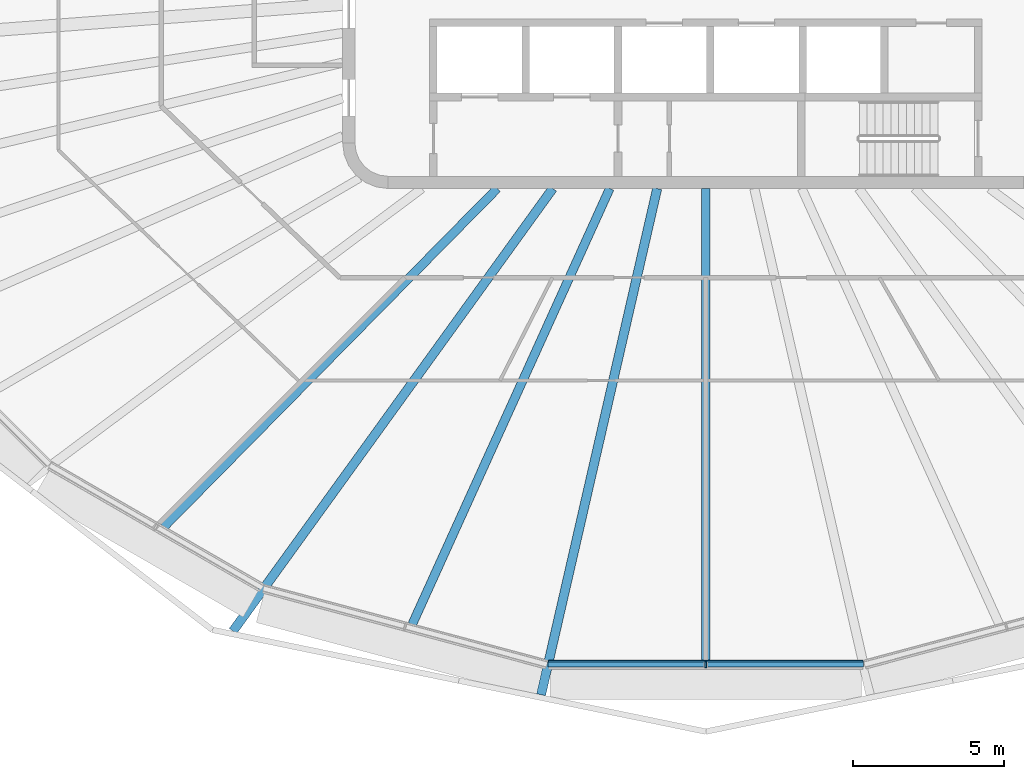
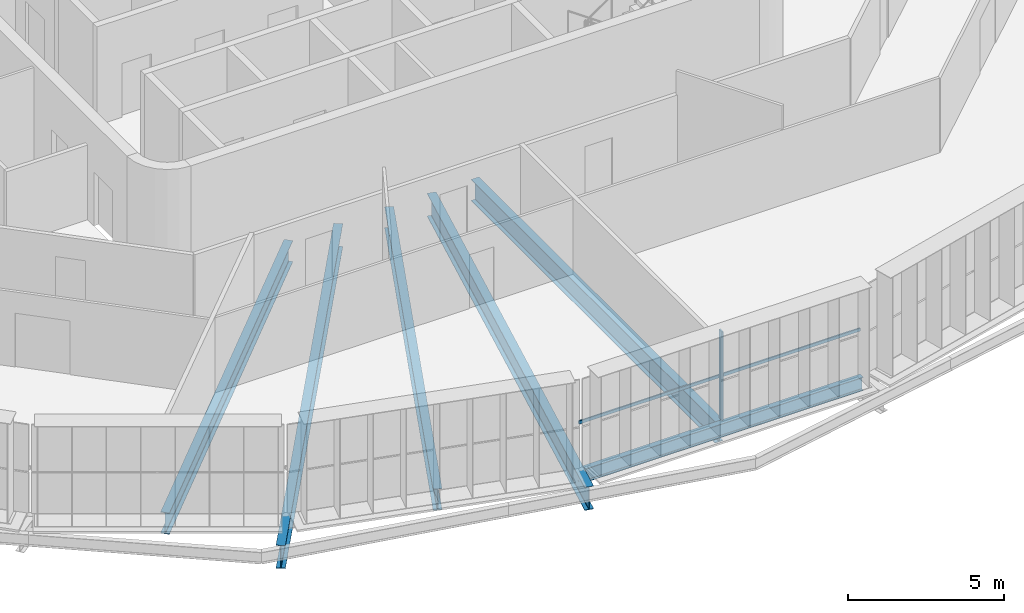
# One storey, part 2 of 20: 6 beams, 2 members, 1 element without a shape of its own.
"""IFC4 building model written with IfcOpenShell, lengths in metres."""

import ifcopenshell
import ifcopenshell.guid

model = None  # the IFC model being written
_history = None  # IfcOwnerHistory: only IFC2X3 demands one
_inside = {}  # id of a spatial element -> (the spatial element, [elements in it])
_under = {}  # id of a project, library or spatial element -> (it, [spatial elements below it])
_declared = {}  # id of a project -> (the project, [libraries it declares])
_typed = {}  # id of a type object -> (the type object, [elements of that type])
_made_of = {}  # id of a material, layer set ... -> (it, [elements and type objects made of it])


def new_model(schema):
    """Start an empty IFC model of exactly this schema.

    Asked for "IFC4X3", IfcOpenShell would pick the latest addendum, in which some entities
    have other attributes; the version numbers below select the first issue.
    IFC2X3 requires an IfcOwnerHistory on every rooted entity: one is made here for all.
    """
    global model, _history
    if schema == "IFC4X3":
        model = ifcopenshell.file(schema_version=(4, 3, 0, 0))
    else:
        model = ifcopenshell.file(schema=schema)
    _inside.clear()
    _under.clear()
    _declared.clear()
    _typed.clear()
    _made_of.clear()
    _history = None
    if model.schema == "IFC2X3":
        org = make("IfcOrganization", Name="unknown")
        user = make(
            "IfcPersonAndOrganization",
            ThePerson=make("IfcPerson", FamilyName="unknown"),
            TheOrganization=org,
        )
        app = make(
            "IfcApplication",
            ApplicationDeveloper=org,
            Version="unknown",
            ApplicationFullName="unknown",
            ApplicationIdentifier="unknown",
        )
        _history = make(
            "IfcOwnerHistory",
            OwningUser=user,
            OwningApplication=app,
            ChangeAction="ADDED",
            CreationDate=0,
        )
    return model


def make(cls, **values):
    """One entity of the class cls with the attributes given. An attribute that is None is left unset."""
    return model.create_entity(
        cls, **{name: value for name, value in values.items() if value is not None}
    )


def rooted(cls, **values):
    """An entity with a GlobalId (a new one), such as an element, a storey or a relation."""
    return make(cls, GlobalId=ifcopenshell.guid.new(), OwnerHistory=_history, **values)


def si_unit(unit_type, name, prefix=None):
    """IfcSIUnit, for example si_unit("LENGTHUNIT", "METRE", prefix="MILLI")."""
    return make("IfcSIUnit", UnitType=unit_type, Prefix=prefix, Name=name)


def assignment(units):
    """IfcUnitAssignment: the units of a project."""
    return None if units is None else make("IfcUnitAssignment", Units=units)


def point(xyz):
    """IfcCartesianPoint."""
    return None if xyz is None else make("IfcCartesianPoint", Coordinates=xyz)


def direction(xyz):
    """IfcDirection."""
    return None if xyz is None else make("IfcDirection", DirectionRatios=xyz)


def frame(location, z_axis=None, x_axis=None):
    """IfcAxis2Placement3D, a coordinate frame: its origin and axes. An axis left out is left unset."""
    return make(
        "IfcAxis2Placement3D",
        Location=point(location),
        Axis=direction(z_axis),
        RefDirection=direction(x_axis),
    )


def frame_2d(location, x_axis=None):
    """IfcAxis2Placement2D, a coordinate frame in the plane: its origin and x axis."""
    return make(
        "IfcAxis2Placement2D", Location=point(location), RefDirection=direction(x_axis)
    )


def origin():
    """The frame at (0, 0, 0) with its axes left unset."""
    return frame((0.0, 0.0, 0.0))


def origin_2d():
    """The frame at (0, 0) in the plane with its x axis left unset."""
    return frame_2d((0.0, 0.0))


def place(relative_to, where):
    """IfcLocalPlacement: puts the frame where relative to a parent placement (None: the world)."""
    return make(
        "IfcLocalPlacement", PlacementRelTo=relative_to, RelativePlacement=where
    )


def context(
    kind, dimensions, precision=None, world=None, true_north=None, identifier=None
):
    """IfcGeometricRepresentationContext, for example the 3D "Model" context."""
    return make(
        "IfcGeometricRepresentationContext",
        ContextIdentifier=identifier,
        ContextType=kind,
        CoordinateSpaceDimension=dimensions,
        Precision=precision,
        WorldCoordinateSystem=world,
        TrueNorth=true_north,
    )


def subcontext(parent, identifier, kind, view, scale=None):
    """IfcGeometricRepresentationSubContext, for example "Body" below "Model"."""
    return make(
        "IfcGeometricRepresentationSubContext",
        ContextIdentifier=identifier,
        ContextType=kind,
        ParentContext=parent,
        TargetScale=scale,
        TargetView=view,
    )


def project(units=None, contexts=None):
    """IfcProject with its units and contexts."""
    return rooted(
        "IfcProject",
        Name="project",
        RepresentationContexts=contexts,
        UnitsInContext=assignment(units),
    )


def spatial(cls, under=None, at=None, **own):
    """A site, building, storey or space (cls), placed at a placement, below another one or the project."""
    s = rooted(cls, ObjectPlacement=at, **own)
    if under is not None:
        _under.setdefault(under.id(), (under, []))[1].append(s)
    return s


def profile(cls, at=None, kind="AREA", **sizes):
    """A parametric profile (cls). Its sizes go by their IFC names, for example OverallWidth=200.0."""
    return make(cls, ProfileType=kind, Position=at, **sizes)


def rectangle(**sizes):
    """IfcRectangleProfileDef."""
    return profile("IfcRectangleProfileDef", **sizes)


def i_section(**sizes):
    """IfcIShapeProfileDef."""
    return profile("IfcIShapeProfileDef", **sizes)


def extrude(swept, where, along, depth):
    """IfcExtrudedAreaSolid: the profile swept, set in the frame where, extruded along a direction by depth."""
    return make(
        "IfcExtrudedAreaSolid",
        SweptArea=swept,
        Position=where,
        ExtrudedDirection=direction(along),
        Depth=depth,
    )


def shape(context_of_items, identifier, shape_type, items):
    """IfcShapeRepresentation: the items that make up one representation, for example the "Body"."""
    return make(
        "IfcShapeRepresentation",
        ContextOfItems=context_of_items,
        RepresentationIdentifier=identifier,
        RepresentationType=shape_type,
        Items=items,
    )


def material(Name=None, Category=None):
    """IfcMaterial."""
    return make("IfcMaterial", Name=Name, Category=Category)


def layer(
    of_material, thickness, ventilated=None, Name=None, Category=None, Priority=None
):
    """IfcMaterialLayer: one layer of a wall or slab, of a material (None: an air gap)."""
    return make(
        "IfcMaterialLayer",
        Material=of_material,
        LayerThickness=thickness,
        IsVentilated=ventilated,
        Name=Name,
        Category=Category,
        Priority=Priority,
    )


def layer_set(layers, Name=None):
    """IfcMaterialLayerSet."""
    return make("IfcMaterialLayerSet", MaterialLayers=layers, LayerSetName=Name)


def material_profile(
    of_material, cross_section, Name=None, Category=None, Priority=None
):
    """IfcMaterialProfile: a cross section and its material."""
    return make(
        "IfcMaterialProfile",
        Name=Name,
        Material=of_material,
        Profile=cross_section,
        Priority=Priority,
        Category=Category,
    )


def profile_set(profiles, Name=None, composite=None):
    """IfcMaterialProfileSet."""
    return make(
        "IfcMaterialProfileSet",
        Name=Name,
        MaterialProfiles=profiles,
        CompositeProfile=composite,
    )


def made_of(thing, what):
    """Note that an element or type object is made of a material, layer set ...; save() writes the relation."""
    if what is not None:
        _made_of.setdefault(what.id(), (what, []))[1].append(thing)
    return thing


def type_object(cls, material=None, **own):
    """A type object (cls), such as IfcWallType, which elements share."""
    return made_of(rooted(cls, **own), material)


def element(
    cls,
    number,
    at=None,
    inside=None,
    cuts=None,
    type_object=None,
    material=None,
    context=None,
    identifier="Body",
    shape_type=None,
    held_by="IfcProductDefinitionShape",
    body=None,
    shapes=None,
    **own,
):
    """One element of the class cls, such as IfcWall. Its Tag is "e" and its number.

    at: its placement. inside: the storey or other place that contains it. cuts: it is an
    opening in that element (IfcRelVoidsElement). A single representation is given by context,
    identifier, shape_type and body (its items); several are given by shapes. held_by: the class
    of the entity that holds the representations. save() writes the other relations.
    """
    e = rooted(cls, Tag="e%d" % number, ObjectPlacement=at, **own)
    if body is not None:
        shapes = [shape(context, identifier, shape_type, body)]
    if shapes is not None:
        e.Representation = make(held_by, Representations=shapes)
    if inside is not None:
        _inside.setdefault(inside.id(), (inside, []))[1].append(e)
    if cuts is not None:
        rooted(
            "IfcRelVoidsElement", RelatingBuildingElement=cuts, RelatedOpeningElement=e
        )
    if type_object is not None:
        _typed.setdefault(type_object.id(), (type_object, []))[1].append(e)
    return made_of(e, material)


def aggregate(whole, parts):
    """IfcRelAggregates: a whole, such as a stair, and the parts it consists of."""
    return rooted("IfcRelAggregates", RelatingObject=whole, RelatedObjects=parts)


def save(model, path):
    """Write the relations noted so far, then the file.

    IfcRelAggregates (storeys below a building ...), IfcRelContainedInSpatialStructure (elements
    in a storey), IfcRelDefinesByType, IfcRelAssociatesMaterial and IfcRelDeclares: one each for
    every whole, place, type object, material and project.
    """
    for whole, parts in _under.values():
        aggregate(whole, parts)
    for where, things in _inside.values():
        rooted(
            "IfcRelContainedInSpatialStructure",
            RelatedElements=things,
            RelatingStructure=where,
        )
    for kind, things in _typed.values():
        rooted("IfcRelDefinesByType", RelatedObjects=things, RelatingType=kind)
    for what, things in _made_of.values():
        rooted("IfcRelAssociatesMaterial", RelatedObjects=things, RelatingMaterial=what)
    for by, libraries in _declared.values():
        rooted("IfcRelDeclares", RelatingContext=by, RelatedDefinitions=libraries)
    model.write(path)


model = new_model("IFC4")

# Units and contexts
model_context = context("Model", 3, precision=1e-05, world=origin(), true_north=direction((0.0, 1.0)))
body_context = subcontext(model_context, "Body", "Model", "MODEL_VIEW")
ifc_project = project(units=[si_unit("LENGTHUNIT", "METRE"), si_unit("AREAUNIT", "SQUARE_METRE"), si_unit("VOLUMEUNIT", "CUBIC_METRE"), si_unit("PLANEANGLEUNIT", "RADIAN"), si_unit("MASSUNIT", "GRAM", prefix="KILO")], contexts=[model_context])

# Site, building, storey
site_placement = place(None, origin())
site = spatial("IfcSite", under=ifc_project, at=site_placement, CompositionType="ELEMENT")
building_placement = place(site_placement, origin())
building = spatial("IfcBuilding", under=site, at=building_placement, Name="Sahrelin Media Tower", CompositionType="ELEMENT")
storey_placement = place(building_placement, frame((0.0, 0.0, 255.0)))
storey = spatial("IfcBuildingStorey", under=building, at=storey_placement, Name="L55", CompositionType="ELEMENT", Elevation=255.0)

# Beam
ifc_material_1 = material(Name="Steel S355", Category="steel")
ifc_material_profile_1 = material_profile(ifc_material_1, i_section(OverallWidth=0.208740234375, OverallDepth=0.5283203125, WebThickness=0.009521484375, FlangeThickness=0.01318359375, FilletRadius=0.0126953125, at=origin_2d()), Name="UB 533x210x82")
ifc_profile_set_1 = profile_set([ifc_material_profile_1], Name="Steel S355")
beam_type_1 = type_object("IfcBeamType", Name="Edge beam EB6", PredefinedType="BEAM", material=ifc_profile_set_1)
beam_1_placement = place(storey_placement, frame((5.2109375, -22.71630859375, -0.414306640625), z_axis=(-1.0, 0.0, 0.0), x_axis=(0.0, -1.0, 0.0)))
element("IfcBeam", 1, at=beam_1_placement, inside=storey, type_object=beam_type_1, Name="Edge beam L55-07", PredefinedType="BEAM", context=body_context, shape_type="SweptSolid", body=[
    extrude(i_section(OverallWidth=0.208740234375, OverallDepth=0.5283203125, WebThickness=0.009521484375, FlangeThickness=0.01318359375, FilletRadius=0.0126953125, at=origin_2d()), origin(), (0.0, 0.0, 1.0), 10.421875),
])

# Curtain wall, member
ifc_material_2 = material(Name="Champagne anodised aluminium 6063-T6", Category="aluminium")
ifc_layer = layer(ifc_material_2, 0.14990234375)
ifc_layer_set = layer_set([ifc_layer], Name="Tower ribbon curtain wall")
curtain_wall_type = type_object("IfcCurtainWallType", Name="Tower ribbon curtain wall", PredefinedType="NOTDEFINED", material=ifc_layer_set)
curtain_wall_placement = place(storey_placement, frame((0.0, -22.8662109375, 0.0), z_axis=(0.0, 0.0, 1.0), x_axis=(1.0, 0.0, 0.0)))
curtain_wall = element("IfcCurtainWall", 2, at=curtain_wall_placement, inside=storey, type_object=curtain_wall_type, Name="L55:CW:L55-18", PredefinedType="NOTDEFINED")
ifc_material_profile_2 = material_profile(ifc_material_2, rectangle(XDim=0.06005859375, YDim=0.199951171875, at=origin_2d()), Name="Mullion 60x200")
ifc_profile_set_2 = profile_set([ifc_material_profile_2], Name="Champagne anodised aluminium 6063-T6")
member_type_1 = type_object("IfcMemberType", Name="Mullion 60x200 CW1C", PredefinedType="MULLION", material=ifc_profile_set_2)
member_1_placement = place(storey_placement, frame((0.0, -22.746337890625, 0.0), z_axis=(0.0, 0.0, 1.0), x_axis=(1.0, 0.0, 0.0)))
member_1 = element("IfcMember", 3, at=member_1_placement, type_object=member_type_1, Name="L55:CWM:L55-18", PredefinedType="MULLION", context=body_context, shape_type="SweptSolid", body=[
    extrude(rectangle(XDim=0.06005859375, YDim=0.199951171875, at=origin_2d()), origin(), (0.0, 0.0, 1.0), 3.448486328125),
])

# Beams
ifc_material_profile_3 = material_profile(ifc_material_1, i_section(OverallWidth=0.30322265625, OverallDepth=0.903076171875, WebThickness=0.01513671875, FlangeThickness=0.020263671875, FilletRadius=0.01904296875, at=origin_2d()), Name="UB 914x305x201")
ifc_profile_set_3 = profile_set([ifc_material_profile_3], Name="Steel S355")
beam_type_2 = type_object("IfcBeamType", Name="Radial primary beam PB11", PredefinedType="BEAM", material=ifc_profile_set_3)
beam_2_placement = place(storey_placement, frame((-5.0576171875, -7.0, -0.6015625), z_axis=(-0.585640185113, -0.810571140357, 0.0), x_axis=(0.810571140357, -0.585640185113, 0.0)))
element("IfcBeam", 4, at=beam_2_placement, inside=storey, type_object=beam_type_2, Name="Radial beam L55-17", PredefinedType="BEAM", context=body_context, shape_type="SweptSolid", body=[
    extrude(i_section(OverallWidth=0.30322265625, OverallDepth=0.903076171875, WebThickness=0.01513671875, FlangeThickness=0.020263671875, FilletRadius=0.01904296875, at=origin_2d()), origin(), (0.0, 0.0, 1.0), 18.049072265625),
])
beam_3_placement = place(storey_placement, frame((-1.605712890625, -7.0, -0.6015625), z_axis=(-0.223577449176, -0.97468616704, 0.0), x_axis=(0.97468616704, -0.223577449176, 0.0)))
element("IfcBeam", 5, at=beam_3_placement, inside=storey, type_object=beam_type_2, Name="Radial beam L55-18", PredefinedType="BEAM", context=body_context, shape_type="SweptSolid", body=[
    extrude(i_section(OverallWidth=0.30322265625, OverallDepth=0.903076171875, WebThickness=0.01513671875, FlangeThickness=0.020263671875, FilletRadius=0.01904296875, at=origin_2d()), origin(), (0.0, 0.0, 1.0), 17.164794921875),
])
ifc_material_profile_4 = material_profile(ifc_material_1, i_section(OverallWidth=0.291748046875, OverallDepth=0.8349609375, WebThickness=0.013916015625, FlangeThickness=0.018798828125, FilletRadius=0.017822265625, at=origin_2d()), Name="UB 838x292x176")
ifc_profile_set_4 = profile_set([ifc_material_profile_4], Name="Steel S355")
beam_type_3 = type_object("IfcBeamType", Name="Radial secondary beam SB10", PredefinedType="BEAM", material=ifc_profile_set_4)
beam_4_placement = place(storey_placement, frame((-6.89404296875, -7.0, -0.5673828125), z_axis=(-0.701692640236, -0.712479781214, 0.0), x_axis=(0.712479781214, -0.701692640236, 0.0)))
element("IfcBeam", 6, at=beam_4_placement, inside=storey, type_object=beam_type_3, Name="Secondary beam L55-16", PredefinedType="BEAM", context=body_context, shape_type="SweptSolid", body=[
    extrude(i_section(OverallWidth=0.291748046875, OverallDepth=0.8349609375, WebThickness=0.013916015625, FlangeThickness=0.018798828125, FilletRadius=0.017822265625, at=origin_2d()), origin(), (0.0, 0.0, 1.0), 15.70703125),
])
beam_5_placement = place(storey_placement, frame((-3.173095703125, -7.0, -0.5673828125), z_axis=(-0.412850412091, -0.910798845649, 0.0), x_axis=(0.910798845649, -0.412850412091, 0.0)))
element("IfcBeam", 7, at=beam_5_placement, inside=storey, type_object=beam_type_3, Name="Secondary beam L55-17", PredefinedType="BEAM", context=body_context, shape_type="SweptSolid", body=[
    extrude(i_section(OverallWidth=0.291748046875, OverallDepth=0.8349609375, WebThickness=0.013916015625, FlangeThickness=0.018798828125, FilletRadius=0.017822265625, at=origin_2d()), origin(), (0.0, 0.0, 1.0), 15.8193359375),
])
beam_6_placement = place(storey_placement, frame((0.0, -7.0, -0.5673828125), z_axis=(0.0, -1.0, 0.0), x_axis=(1.0, 0.0, 0.0)))
element("IfcBeam", 8, at=beam_6_placement, inside=storey, type_object=beam_type_3, Name="Secondary beam L55-18", PredefinedType="BEAM", context=body_context, shape_type="SweptSolid", body=[
    extrude(i_section(OverallWidth=0.291748046875, OverallDepth=0.8349609375, WebThickness=0.013916015625, FlangeThickness=0.018798828125, FilletRadius=0.017822265625, at=origin_2d()), origin(), (0.0, 0.0, 1.0), 15.61181640625),
])

# Member
ifc_material_profile_5 = material_profile(ifc_material_2, rectangle(XDim=0.050048828125, YDim=0.1201171875, at=origin_2d()), Name="Transom 50x120")
ifc_profile_set_5 = profile_set([ifc_material_profile_5], Name="Champagne anodised aluminium 6063-T6")
member_type_2 = type_object("IfcMemberType", Name="Transom 50x120 CW1C", PredefinedType="USERDEFINED", material=ifc_profile_set_5)
member_2_placement = place(storey_placement, frame((-5.1953125, -22.621337890625, 1.60009765625), z_axis=(1.0, 0.0, 0.0), x_axis=(0.0, 1.0, 0.0)))
member_2 = element("IfcMember", 9, at=member_2_placement, type_object=member_type_2, Name="L55:CWT:L55-18", ObjectType="TRANSOM", PredefinedType="USERDEFINED", context=body_context, shape_type="SweptSolid", body=[
    extrude(rectangle(XDim=0.050048828125, YDim=0.1201171875, at=origin_2d()), origin(), (0.0, 0.0, 1.0), 10.390625),
])

aggregate(curtain_wall, [member_1, member_2])

save(model, "model.ifc")
